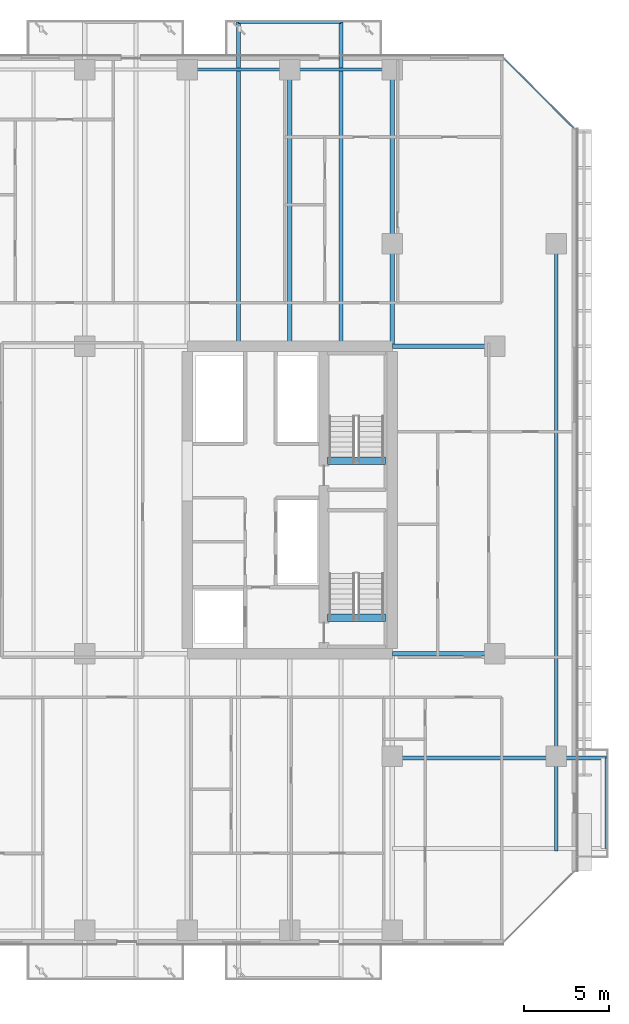
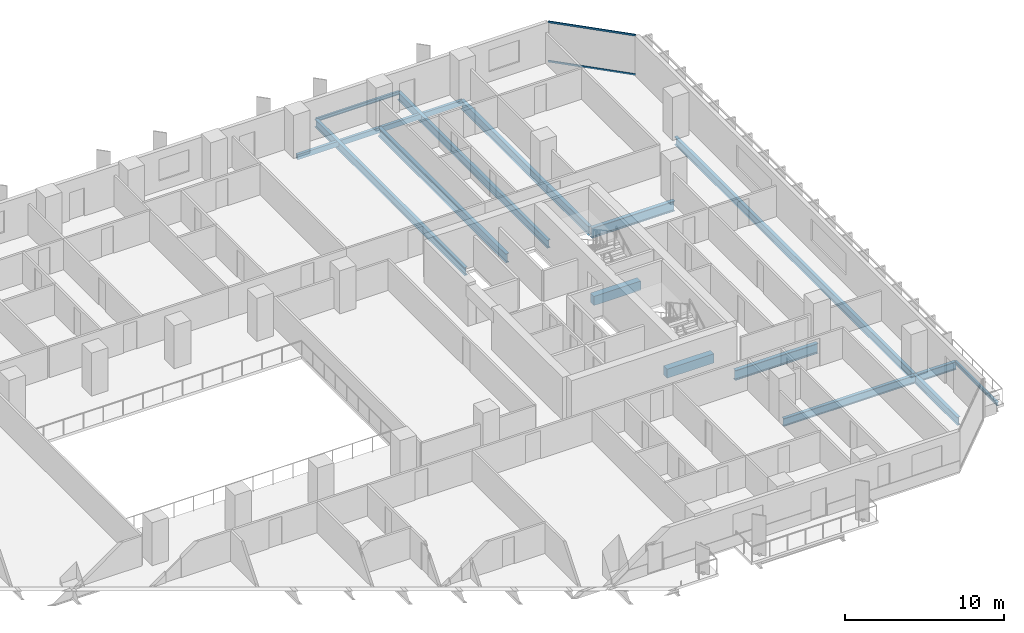
# One storey, part 14 of 33: 15 beams, 2 members, 1 element without a shape of its own.
"""IFC4 building model written with IfcOpenShell, lengths in metres."""

from ifc_helpers import new_model, si_unit, direction, frame, origin, origin_2d, place, context, subcontext, project, spatial, rectangle, hollow_rectangle, i_section, extrude, material, layer, layer_set, material_profile, profile_set, type_object, element, aggregate, save


model = new_model("IFC4")

# Units and contexts
model_context = context("Model", 3, precision=1e-05, world=origin(), true_north=direction((0.0, 1.0)))
body_context = subcontext(model_context, "Body", "Model", "MODEL_VIEW")
ifc_project = project(units=[si_unit("LENGTHUNIT", "METRE"), si_unit("AREAUNIT", "SQUARE_METRE"), si_unit("VOLUMEUNIT", "CUBIC_METRE"), si_unit("PLANEANGLEUNIT", "RADIAN"), si_unit("MASSUNIT", "GRAM", prefix="KILO")], contexts=[model_context])

# Site, building, storey
site_placement = place(None, origin())
site = spatial("IfcSite", under=ifc_project, at=site_placement, CompositionType="ELEMENT")
building_placement = place(site_placement, origin())
building = spatial("IfcBuilding", under=site, at=building_placement, Name="Tanjung Sevakor Pilgrim Tower", CompositionType="ELEMENT")
storey_placement = place(building_placement, frame((0.0, 0.0, 35.639892578125)))
storey = spatial("IfcBuildingStorey", under=building, at=storey_placement, Name="L09", CompositionType="ELEMENT", Elevation=35.639892578125)

# Beams
ifc_material_1 = material(Name="Steel S355J2", Category="steel")
ifc_material_profile_1 = material_profile(ifc_material_1, i_section(OverallWidth=0.26806640625, OverallDepth=0.769775390625, WebThickness=0.015625, FlangeThickness=0.025390625, FilletRadius=0.0166015625, at=origin_2d()))
ifc_profile_set_1 = profile_set([ifc_material_profile_1], Name="Steel S355J2")
beam_type_1 = type_object("IfcBeamType", Name="BM-B-G1-UB_762x267x197", PredefinedType="BEAM", material=ifc_profile_set_1)
for number, where, z_axis, x_axis, name in (
    (1, (90.0, 24.60009765625, -0.604736328125), (1.0, 0.0, 0.0), (0.0, 1.0, 0.0), "L09 Primary Floor Girder MAIN Y246-09"),
    (2, (90.0, 42.60009765625, -0.604736328125), (1.0, 0.0, 0.0), (0.0, 1.0, 0.0), "L09 Primary Floor Girder MAIN Y426-09"),
):
    element("IfcBeam", number, at=place(storey_placement, frame(where, z_axis=z_axis, x_axis=x_axis)), inside=storey, type_object=beam_type_1, Name=name, PredefinedType="BEAM", context=body_context, shape_type="SweptSolid", body=[
        extrude(i_section(OverallWidth=0.26806640625, OverallDepth=0.769775390625, WebThickness=0.015625, FlangeThickness=0.025390625, FilletRadius=0.0166015625, at=origin_2d()), origin(), (0.0, 0.0, 1.0), 6.0),
    ])
ifc_material_2 = material(Name="Steel S355J2", Category="steel")
ifc_material_profile_2 = material_profile(ifc_material_2, i_section(OverallWidth=0.25439453125, OverallDepth=0.6875, WebThickness=0.01318359375, FlangeThickness=0.02099609375, FilletRadius=0.01513671875, at=origin_2d()))
ifc_profile_set_2 = profile_set([ifc_material_profile_2], Name="Steel S355J2")
beam_type_2 = type_object("IfcBeamType", Name="BM-B-G2-UB_686x254x152", PredefinedType="BEAM", material=ifc_profile_set_2)
for number, where, z_axis, x_axis, name in (
    (3, (84.0, 42.73388671875, -0.5634765625), (0.0, 1.0, 0.0), (-1.0, 0.0, 0.0), "L09 MAIN Girder 027"),
    (4, (90.0, 42.73388671875, -0.5634765625), (0.0, 1.0, 0.0), (-1.0, 0.0, 0.0), "L09 MAIN Girder 029"),
):
    element("IfcBeam", number, at=place(storey_placement, frame(where, z_axis=z_axis, x_axis=x_axis)), inside=storey, type_object=beam_type_2, Name=name, PredefinedType="BEAM", context=body_context, shape_type="SweptSolid", body=[
        extrude(i_section(OverallWidth=0.25439453125, OverallDepth=0.6875, WebThickness=0.01318359375, FlangeThickness=0.02099609375, FilletRadius=0.01513671875, at=origin_2d()), origin(), (0.0, 0.0, 1.0), 16.066162109375),
    ])
ifc_material_3 = material(Name="Steel S355J2", Category="steel")
ifc_material_profile_3 = material_profile(ifc_material_3, i_section(OverallWidth=0.22900390625, OverallDepth=0.6123046875, WebThickness=0.011962890625, FlangeThickness=0.01953125, FilletRadius=0.0126953125, at=origin_2d()))
ifc_profile_set_3 = profile_set([ifc_material_profile_3], Name="Steel S355J2")
beam_type_3 = type_object("IfcBeamType", Name="BM-B-G4-UB_610x229x125", PredefinedType="BEAM", material=ifc_profile_set_3)
beam_1_placement = place(storey_placement, frame((99.60009765625, 18.60009765625, -0.52587890625), z_axis=(0.0, 1.0, 0.0), x_axis=(-1.0, 0.0, 0.0)))
element("IfcBeam", 5, at=beam_1_placement, inside=storey, type_object=beam_type_3, Name="L09 Short-End Edge Girder E", PredefinedType="BEAM", context=body_context, shape_type="SweptSolid", body=[
    extrude(i_section(OverallWidth=0.22900390625, OverallDepth=0.6123046875, WebThickness=0.011962890625, FlangeThickness=0.01953125, FilletRadius=0.0126953125, at=origin_2d()), origin(), (0.0, 0.0, 1.0), 30.0),
])
beam_2_placement = place(storey_placement, frame((99.60009765625, 18.60009765625, -0.52587890625), z_axis=(0.0, -1.0, 0.0), x_axis=(1.0, 0.0, 0.0)))
element("IfcBeam", 6, at=beam_2_placement, inside=storey, type_object=beam_type_3, Name="L09 Short-End Edge Extension S-E", PredefinedType="BEAM", context=body_context, shape_type="SweptSolid", body=[
    extrude(i_section(OverallWidth=0.22900390625, OverallDepth=0.6123046875, WebThickness=0.011962890625, FlangeThickness=0.01953125, FilletRadius=0.0126953125, at=origin_2d()), origin(), (0.0, 0.0, 1.0), 5.550048828125),
])
beam_3_placement = place(storey_placement, frame((90.0, 18.5, -0.52587890625), z_axis=(1.0, 0.0, 0.0), x_axis=(0.0, 1.0, 0.0)))
element("IfcBeam", 7, at=beam_3_placement, inside=storey, type_object=beam_type_3, Name="L09 Balcony Overhanging Beam MAIN-E1-2", PredefinedType="BEAM", context=body_context, shape_type="SweptSolid", body=[
    extrude(i_section(OverallWidth=0.22900390625, OverallDepth=0.6123046875, WebThickness=0.011962890625, FlangeThickness=0.01953125, FilletRadius=0.0126953125, at=origin_2d()), origin(), (0.0, 0.0, 1.0), 12.530029296875),
])
for number, where, z_axis, x_axis, name in (
    (8, (81.0, 42.73388671875, -0.52587890625), (0.0, 1.0, 0.0), (-1.0, 0.0, 0.0), "L09 Balcony Cantilever Beam MAIN-N4-1"),
    (9, (87.0, 42.73388671875, -0.52587890625), (0.0, 1.0, 0.0), (-1.0, 0.0, 0.0), "L09 Balcony Cantilever Beam MAIN-N4-2"),
):
    element("IfcBeam", number, at=place(storey_placement, frame(where, z_axis=z_axis, x_axis=x_axis)), inside=storey, type_object=beam_type_3, Name=name, PredefinedType="BEAM", context=body_context, shape_type="SweptSolid", body=[
        extrude(i_section(OverallWidth=0.22900390625, OverallDepth=0.6123046875, WebThickness=0.011962890625, FlangeThickness=0.01953125, FilletRadius=0.0126953125, at=origin_2d()), origin(), (0.0, 0.0, 1.0), 18.84619140625),
    ])
ifc_material_4 = material(Name="Steel S355J2", Category="steel")
ifc_material_profile_4 = material_profile(ifc_material_4, i_section(OverallWidth=0.146484375, OverallDepth=0.256103515625, WebThickness=0.00634765625, FlangeThickness=0.010986328125, FilletRadius=0.007568359375, at=origin_2d()))
ifc_profile_set_4 = profile_set([ifc_material_profile_4], Name="Steel S355J2")
beam_type_4 = type_object("IfcBeamType", Name="BM-B-J6-UB_254x146x37", PredefinedType="JOIST", material=ifc_profile_set_4)
beam_4_placement = place(storey_placement, frame((81.0, 61.580078125, -0.327880859375), z_axis=(1.0, 0.0, 0.0), x_axis=(0.0, 1.0, 0.0)))
element("IfcBeam", 10, at=beam_4_placement, inside=storey, type_object=beam_type_4, Name="L09 Balcony Rim Tie MAIN-N4", PredefinedType="JOIST", context=body_context, shape_type="SweptSolid", body=[
    extrude(i_section(OverallWidth=0.146484375, OverallDepth=0.256103515625, WebThickness=0.00634765625, FlangeThickness=0.010986328125, FilletRadius=0.007568359375, at=origin_2d()), origin(), (0.0, 0.0, 1.0), 6.0),
])
beam_5_placement = place(storey_placement, frame((102.530029296875, 13.199951171875, -0.327880859375), z_axis=(0.0, 1.0, 0.0), x_axis=(-1.0, 0.0, 0.0)))
element("IfcBeam", 11, at=beam_5_placement, inside=storey, type_object=beam_type_4, Name="L09 Balcony Rim Tie MAIN-E1", PredefinedType="JOIST", context=body_context, shape_type="SweptSolid", body=[
    extrude(i_section(OverallWidth=0.146484375, OverallDepth=0.256103515625, WebThickness=0.00634765625, FlangeThickness=0.010986328125, FilletRadius=0.007568359375, at=origin_2d()), origin(), (0.0, 0.0, 1.0), 5.300048828125),
])
ifc_material_5 = material(Name="Concrete C60/75", Category="concrete")
ifc_material_profile_5 = material_profile(ifc_material_5, rectangle(XDim=0.449951171875, YDim=0.699951171875, at=origin_2d()))
ifc_profile_set_5 = profile_set([ifc_material_profile_5], Name="Concrete C60/75")
beam_type_5 = type_object("IfcBeamType", Name="BM-B-LN3-RC-BM_450x700", PredefinedType="LINTEL", material=ifc_profile_set_5)
for number, where, z_axis, x_axis, name in (
    (12, (86.199951171875, 26.699951171875, -0.349853515625), (1.0, 0.0, 0.0), (0.0, 1.0, 0.0), "L09 TS-E1 Stair Threshold Beam"),
    (13, (86.199951171875, 35.89990234375, -0.349853515625), (1.0, 0.0, 0.0), (0.0, 1.0, 0.0), "L09 TS-E2 Stair Threshold Beam"),
):
    element("IfcBeam", number, at=place(storey_placement, frame(where, z_axis=z_axis, x_axis=x_axis)), inside=storey, type_object=beam_type_5, Name=name, PredefinedType="LINTEL", context=body_context, shape_type="SweptSolid", body=[
        extrude(rectangle(XDim=0.449951171875, YDim=0.699951171875, at=origin_2d()), origin(), (0.0, 0.0, 1.0), 3.400146484375),
    ])
ifc_material_6 = material(Name="Steel S355J2", Category="steel")
ifc_material_profile_6 = material_profile(ifc_material_6, hollow_rectangle(XDim=0.199951171875, YDim=0.39990234375, WallThickness=0.01611328125, at=origin_2d()))
ifc_profile_set_6 = profile_set([ifc_material_profile_6], Name="Steel S355J2")
beam_type_6 = type_object("IfcBeamType", Name="BM-B-SP2-RHS_400x200x16", PredefinedType="SPANDREL", material=ifc_profile_set_6)
for number, where, z_axis, x_axis, name in (
    (14, (78.0, 58.800048828125, -0.419921875), (1.0, 0.0, 0.0), (0.0, 1.0, 0.0), "L09 Spandrel MAIN N-16"),
    (15, (84.0, 58.800048828125, -0.419921875), (1.0, 0.0, 0.0), (0.0, 1.0, 0.0), "L09 Spandrel MAIN N-18"),
):
    element("IfcBeam", number, at=place(storey_placement, frame(where, z_axis=z_axis, x_axis=x_axis)), inside=storey, type_object=beam_type_6, Name=name, PredefinedType="SPANDREL", context=body_context, shape_type="SweptSolid", body=[
        extrude(hollow_rectangle(XDim=0.199951171875, YDim=0.39990234375, WallThickness=0.01611328125, at=origin_2d()), origin(), (0.0, 0.0, 1.0), 6.0),
    ])

# Curtain wall, members
ifc_material_7 = material(Name="Aluminium 6063-T6 and Low-E Glass", Category="aluminium")
ifc_layer = layer(ifc_material_7, 0.179931640625)
ifc_layer_set = layer_set([ifc_layer], Name="CW-SYS-CHAM")
curtain_wall_type = type_object("IfcCurtainWallType", Name="CW-SYS-CHAM", PredefinedType="NOTDEFINED", material=ifc_layer_set)
curtain_wall_placement = place(storey_placement, origin())
curtain_wall = element("IfcCurtainWall", 16, at=curtain_wall_placement, inside=storey, type_object=curtain_wall_type, Name="L09 Curtain Wall CW-CHM-L09-MAIN-7", PredefinedType="NOTDEFINED")
ifc_material_8 = material(Name="Aluminium 6063-T6", Category="aluminium")
ifc_material_profile_7 = material_profile(ifc_material_8, hollow_rectangle(XDim=0.06494140625, YDim=0.139892578125, WallThickness=0.00390625, at=origin_2d()))
ifc_profile_set_7 = profile_set([ifc_material_profile_7], Name="Aluminium 6063-T6")
member_type = type_object("IfcMemberType", Name="TYPE-CWT-1", PredefinedType="USERDEFINED", material=ifc_profile_set_7)
member_1_placement = place(storey_placement, frame((100.614013671875, 55.387939453125, 0.03271484375), z_axis=(-0.707106781187, 0.707106781187, 0.0), x_axis=(-0.707106781187, -0.707106781187, 0.0)))
member_1 = element("IfcMember", 17, at=member_1_placement, type_object=member_type, Name="CW-CHM transom 1.1", ObjectType="TRANSOM", PredefinedType="USERDEFINED", context=body_context, shape_type="SweptSolid", body=[
    extrude(hollow_rectangle(XDim=0.06494140625, YDim=0.139892578125, WallThickness=0.00390625, at=origin_2d()), origin(), (0.0, 0.0, 1.0), 5.69384765625),
])
member_2_placement = place(storey_placement, frame((100.614013671875, 55.387939453125, 3.047607421875), z_axis=(-0.707106781187, 0.707106781187, 0.0), x_axis=(-0.707106781187, -0.707106781187, 0.0)))
member_2 = element("IfcMember", 18, at=member_2_placement, type_object=member_type, Name="CW-CHM transom 1.2", ObjectType="TRANSOM", PredefinedType="USERDEFINED", context=body_context, shape_type="SweptSolid", body=[
    extrude(hollow_rectangle(XDim=0.06494140625, YDim=0.139892578125, WallThickness=0.00390625, at=origin_2d()), origin(), (0.0, 0.0, 1.0), 5.69384765625),
])
aggregate(curtain_wall, [member_1, member_2])

save(model, "model.ifc")
